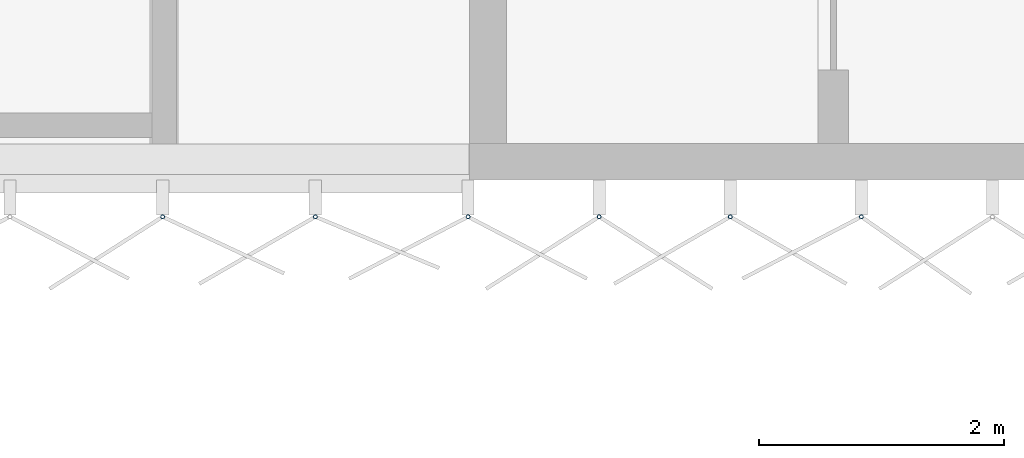
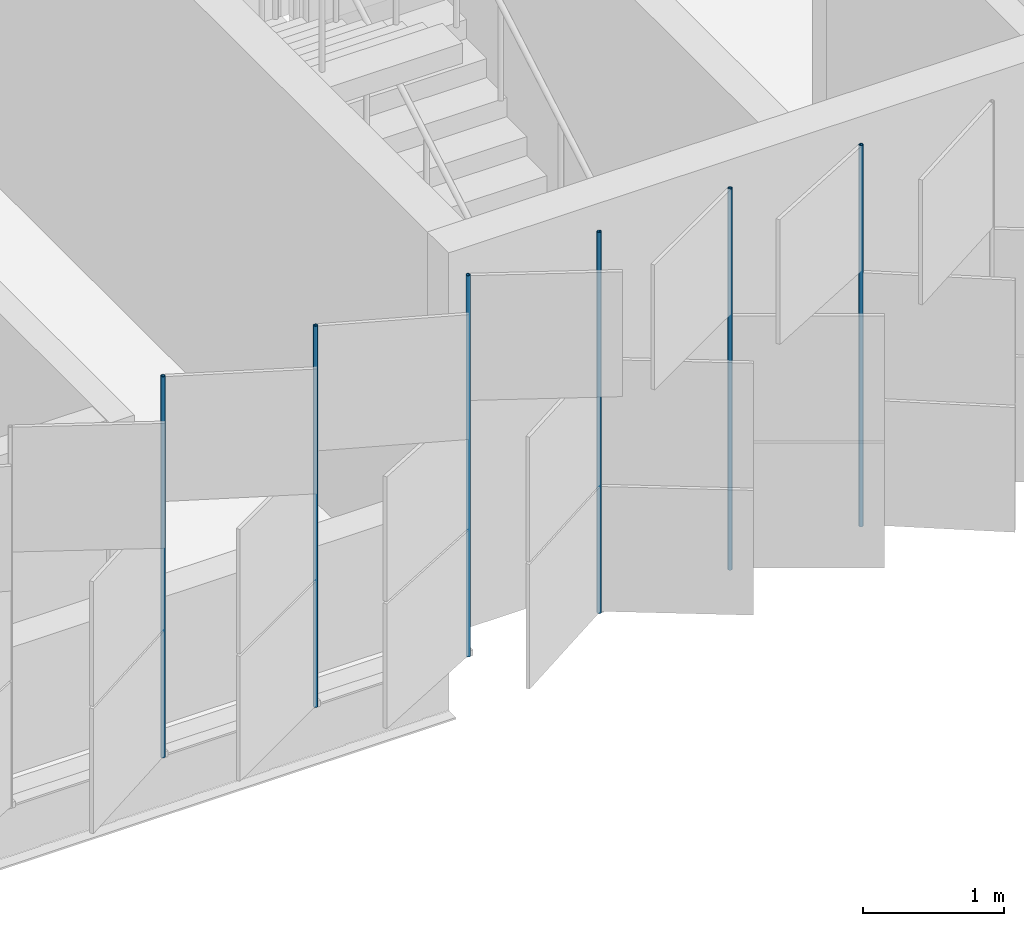
# One storey, part 82 of 198: 6 discrete accessories.
"""IFC4 building model written with IfcOpenShell, lengths in metres."""

from ifc_helpers import new_model, si_unit, direction, frame, origin, origin_2d, place, context, subcontext, project, spatial, hollow_circle, extrude, material, material_profile, profile_set, type_object, element, save


model = new_model("IFC4")

# Units and contexts
model_context = context("Model", 3, precision=1e-05, world=origin(), true_north=direction((0.0, 1.0)))
body_context = subcontext(model_context, "Body", "Model", "MODEL_VIEW")
ifc_project = project(units=[si_unit("LENGTHUNIT", "METRE"), si_unit("AREAUNIT", "SQUARE_METRE"), si_unit("VOLUMEUNIT", "CUBIC_METRE"), si_unit("PLANEANGLEUNIT", "RADIAN"), si_unit("MASSUNIT", "GRAM", prefix="KILO")], contexts=[model_context])

# Site, building, storey
site_placement = place(None, origin())
site = spatial("IfcSite", under=ifc_project, at=site_placement, CompositionType="ELEMENT")
building_placement = place(site_placement, origin())
building = spatial("IfcBuilding", under=site, at=building_placement, Name="Parallax Yard Mobility Hub", CompositionType="ELEMENT")
storey_placement = place(building_placement, frame((0.0, 0.0, 6.60009765625)))
storey = spatial("IfcBuildingStorey", under=building, at=storey_placement, Name="L02", CompositionType="ELEMENT", Elevation=6.60009765625)

# Discrete accessories
ifc_material = material(Name="Steel ASTM A500 Gr C, hot-dip galvanised", Category="steel")
ifc_material_profile = material_profile(ifc_material, hollow_circle(Radius=0.016845703125, WallThickness=0.003173828125, at=origin_2d()), Name="CHS 33.7x3.2")
ifc_profile_set = profile_set([ifc_material_profile], Name="Steel ASTM A500 Gr C, hot-dip galvanised")
discrete_accessory_type = type_object("IfcDiscreteAccessoryType", Name="Hinge post CHS 33.7x3.2", PredefinedType="BRACKET", material=ifc_profile_set)
for number, where, z_axis, x_axis, name in (
    (1, (124.988525390625, 112.199951171875, 0.0), (0.0, 0.0, 1.0), (1.0, 0.0, 0.0), "Hinge post bay 12.5 level L02"),
    (2, (126.23779296875, 112.199951171875, 0.0), (0.0, 0.0, 1.0), (1.0, 0.0, 0.0), "Hinge post bay 12.6 level L02"),
    (3, (127.487060546875, 112.199951171875, 0.0), (0.0, 0.0, 1.0), (1.0, 0.0, 0.0), "Hinge post bay 13.1 level L02"),
    (4, (128.55908203125, 112.199951171875, 0.0), (0.0, 0.0, 1.0), (1.0, 0.0, 0.0), "Hinge post bay 13.2 level L02"),
    (5, (129.63134765625, 112.199951171875, 0.0), (0.0, 0.0, 1.0), (1.0, 0.0, 0.0), "Hinge post bay 13.3 level L02"),
    (6, (130.70361328125, 112.199951171875, 0.0), (0.0, 0.0, 1.0), (1.0, 0.0, 0.0), "Hinge post bay 13.4 level L02"),
):
    element("IfcDiscreteAccessory", number, at=place(storey_placement, frame(where, z_axis=z_axis, x_axis=x_axis)), inside=storey, type_object=discrete_accessory_type, Name=name, PredefinedType="BRACKET", context=body_context, shape_type="SweptSolid", body=[
        extrude(hollow_circle(Radius=0.016845703125, WallThickness=0.003173828125, at=origin_2d()), origin(), (0.0, 0.0, 1.0), 3.2998046875),
    ])

save(model, "model.ifc")
